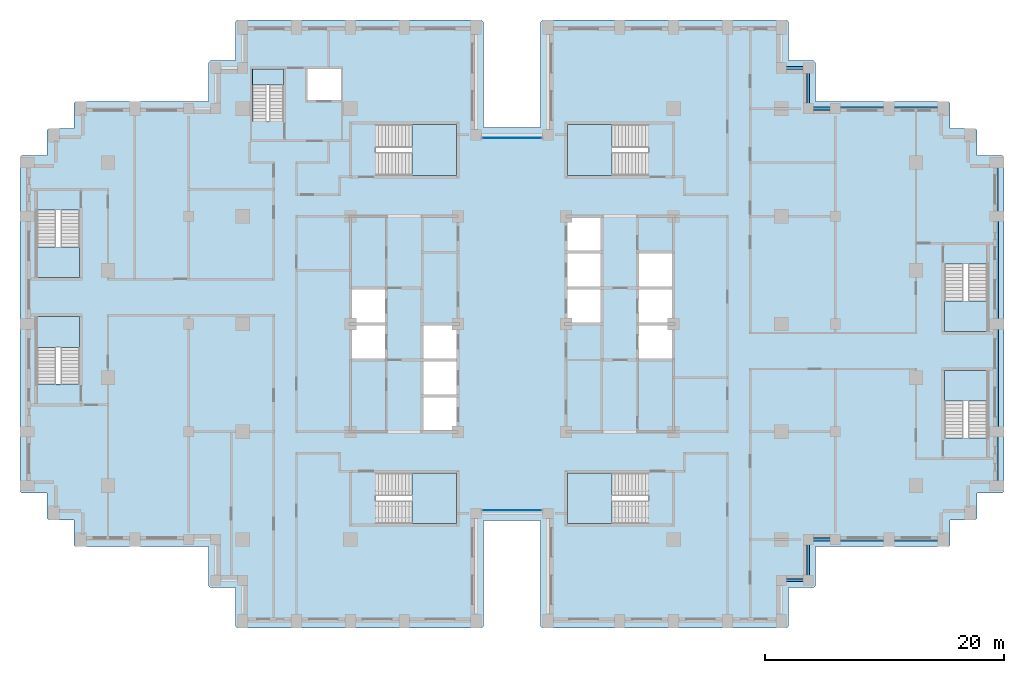
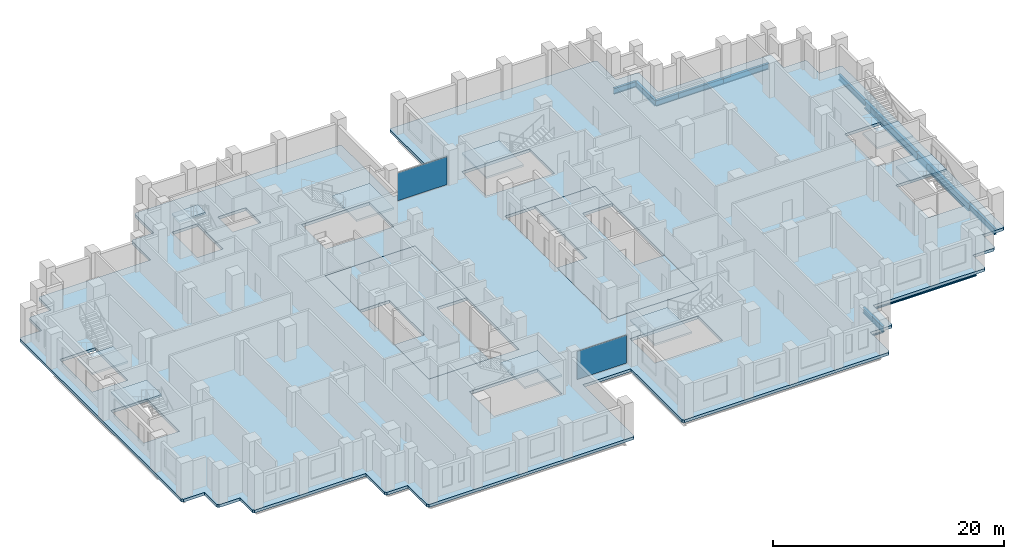
# One storey, part 5 of 15: 14 beams, 12 slabs, 2 plates, 11 elements without a shape of their own.
"""IFC4 building model written with IfcOpenShell, lengths in metres."""

from ifc_helpers import new_model, si_unit, direction, frame, origin, origin_2d, place, context, subcontext, project, spatial, polyline, rectangle, i_section, outline, extrude, material, layer, layer_set, material_profile, profile_set, type_object, element, aggregate, save


model = new_model("IFC4")

# Units and contexts
model_context = context("Model", 3, precision=1e-05, world=origin(), true_north=direction((0.0, 1.0)))
body_context = subcontext(model_context, "Body", "Model", "MODEL_VIEW")
ifc_project = project(units=[si_unit("LENGTHUNIT", "METRE"), si_unit("AREAUNIT", "SQUARE_METRE"), si_unit("VOLUMEUNIT", "CUBIC_METRE"), si_unit("PLANEANGLEUNIT", "RADIAN"), si_unit("MASSUNIT", "GRAM", prefix="KILO")], contexts=[model_context])

# Site, building, storey
site_placement = place(None, origin())
site = spatial("IfcSite", under=ifc_project, at=site_placement, CompositionType="ELEMENT")
building_placement = place(site_placement, origin())
building = spatial("IfcBuilding", under=site, at=building_placement, Name="Corbelhall Arena Tower", CompositionType="ELEMENT")
storey_placement = place(building_placement, frame((0.0, 0.0, 100.0)))
storey = spatial("IfcBuildingStorey", under=building, at=storey_placement, Name="L17", CompositionType="ELEMENT", Elevation=100.0)

# Beams
ifc_material_1 = material(Name="Steel ASTM A992 Gr50", Category="steel")
ifc_material_profile_1 = material_profile(ifc_material_1, i_section(OverallWidth=0.23046875, OverallDepth=0.6171875, WebThickness=0.01318359375, FlangeThickness=0.022216796875, at=origin_2d()))
ifc_profile_set_1 = profile_set([ifc_material_profile_1], Name="Steel ASTM A992 Gr50")
beam_type_1 = type_object("IfcBeamType", Name="ST-SPANDREL-W24x94", PredefinedType="SPANDREL", material=ifc_profile_set_1)
for number, where, z_axis, x_axis, name in (
    (1, (40.5, 13.5, -0.608642578125), (0.0, -1.0, 0.0), (1.0, 0.0, 0.0), "Beam SP 10"),
    (2, (40.5, -9.0, -0.608642578125), (0.0, -1.0, 0.0), (1.0, 0.0, 0.0), "Beam SP 11"),
    (3, (31.5, 18.0, -0.608642578125), (1.0, 0.0, 0.0), (0.0, 1.0, 0.0), "Beam SP 12"),
    (4, (31.5, -18.0, -0.608642578125), (-1.0, 0.0, 0.0), (0.0, -1.0, 0.0), "Beam SP 13"),
    (5, (36.0, -18.0, -0.608642578125), (-1.0, 0.0, 0.0), (0.0, -1.0, 0.0), "Beam SP 14"),
    (6, (27.0, 18.0, -0.608642578125), (1.0, 0.0, 0.0), (0.0, 1.0, 0.0), "Beam SP 15"),
):
    element("IfcBeam", number, at=place(storey_placement, frame(where, z_axis=z_axis, x_axis=x_axis)), inside=storey, type_object=beam_type_1, Name=name, PredefinedType="SPANDREL", context=body_context, shape_type="SweptSolid", body=[
        extrude(i_section(OverallWidth=0.23046875, OverallDepth=0.6171875, WebThickness=0.01318359375, FlangeThickness=0.022216796875, at=origin_2d()), origin(), (0.0, 0.0, 1.0), 4.5),
    ])
for number, where, z_axis, x_axis, name in (
    (7, (27.0, -18.0, -0.608642578125), (-1.0, 0.0, 0.0), (0.0, -1.0, 0.0), "Beam SP 16"),
    (8, (22.5, 21.39990234375, -0.608642578125), (1.0, 0.0, 0.0), (0.0, 1.0, 0.0), "Beam SP 43"),
):
    element("IfcBeam", number, at=place(storey_placement, frame(where, z_axis=z_axis, x_axis=x_axis)), inside=storey, type_object=beam_type_1, Name=name, PredefinedType="SPANDREL", context=body_context, shape_type="SweptSolid", body=[
        extrude(i_section(OverallWidth=0.23046875, OverallDepth=0.6171875, WebThickness=0.01318359375, FlangeThickness=0.022216796875, at=origin_2d()), origin(), (0.0, 0.0, 1.0), 2.25),
    ])
beam_1_placement = place(storey_placement, frame((24.75, 21.39990234375, -0.608642578125), z_axis=(0.0, -1.0, 0.0), x_axis=(1.0, 0.0, 0.0)))
element("IfcBeam", 9, at=beam_1_placement, inside=storey, type_object=beam_type_1, Name="Beam SP 44", PredefinedType="SPANDREL", context=body_context, shape_type="SweptSolid", body=[
    extrude(i_section(OverallWidth=0.23046875, OverallDepth=0.6171875, WebThickness=0.01318359375, FlangeThickness=0.022216796875, at=origin_2d()), origin(), (0.0, 0.0, 1.0), 3.39990234375),
])
for number, where, z_axis, x_axis, name in (
    (10, (24.75, 18.0, -0.608642578125), (1.0, 0.0, 0.0), (0.0, 1.0, 0.0), "Beam SP 45"),
    (11, (24.75, -21.39990234375, -0.608642578125), (-1.0, 0.0, 0.0), (0.0, -1.0, 0.0), "Beam SP 50"),
):
    element("IfcBeam", number, at=place(storey_placement, frame(where, z_axis=z_axis, x_axis=x_axis)), inside=storey, type_object=beam_type_1, Name=name, PredefinedType="SPANDREL", context=body_context, shape_type="SweptSolid", body=[
        extrude(i_section(OverallWidth=0.23046875, OverallDepth=0.6171875, WebThickness=0.01318359375, FlangeThickness=0.022216796875, at=origin_2d()), origin(), (0.0, 0.0, 1.0), 2.25),
    ])
beam_2_placement = place(storey_placement, frame((24.75, -18.0, -0.608642578125), z_axis=(0.0, -1.0, 0.0), x_axis=(1.0, 0.0, 0.0)))
element("IfcBeam", 12, at=beam_2_placement, inside=storey, type_object=beam_type_1, Name="Beam SP 51", PredefinedType="SPANDREL", context=body_context, shape_type="SweptSolid", body=[
    extrude(i_section(OverallWidth=0.23046875, OverallDepth=0.6171875, WebThickness=0.01318359375, FlangeThickness=0.022216796875, at=origin_2d()), origin(), (0.0, 0.0, 1.0), 3.39990234375),
])
ifc_material_profile_2 = material_profile(ifc_material_1, i_section(OverallWidth=0.2919921875, OverallDepth=0.845703125, WebThickness=0.015380859375, FlangeThickness=0.0244140625, at=origin_2d()))
ifc_profile_set_2 = profile_set([ifc_material_profile_2], Name="Steel ASTM A992 Gr50")
beam_type_2 = type_object("IfcBeamType", Name="ST-SPANDREL-W33x141", PredefinedType="SPANDREL", material=ifc_profile_set_2)
for number, where, z_axis, x_axis, name in (
    (13, (40.5, 0.0, -0.722900390625), (0.0, -1.0, 0.0), (1.0, 0.0, 0.0), "Beam SP 8"),
    (14, (40.5, 9.0, -0.722900390625), (0.0, -1.0, 0.0), (1.0, 0.0, 0.0), "Beam SP 9"),
):
    element("IfcBeam", number, at=place(storey_placement, frame(where, z_axis=z_axis, x_axis=x_axis)), inside=storey, type_object=beam_type_2, Name=name, PredefinedType="SPANDREL", context=body_context, shape_type="SweptSolid", body=[
        extrude(i_section(OverallWidth=0.2919921875, OverallDepth=0.845703125, WebThickness=0.015380859375, FlangeThickness=0.0244140625, at=origin_2d()), origin(), (0.0, 0.0, 1.0), 9.0),
    ])

# Curtain wall, plate
ifc_material_2 = material(Name="Aluminium black anodised", Category="aluminium")
ifc_layer_1 = layer(ifc_material_2, 0.199951171875)
ifc_layer_set_1 = layer_set([ifc_layer_1], Name="EV-CW1 Slot back wall")
curtain_wall_type = type_object("IfcCurtainWallType", Name="EV-CW1 Slot back wall", PredefinedType="NOTDEFINED", material=ifc_layer_set_1)
curtain_wall_1_placement = place(storey_placement, origin())
curtain_wall_1 = element("IfcCurtainWall", 15, at=curtain_wall_1_placement, inside=storey, type_object=curtain_wall_type, Name="Curtain wall CW1", PredefinedType="NOTDEFINED")
ifc_material_3 = material(Name="Glass dark tinted laminated", Category="glass")
ifc_layer_2 = layer(ifc_material_3, 0.028076171875)
ifc_layer_set_2 = layer_set([ifc_layer_2], Name="EV-CW1-PANEL")
plate_type = type_object("IfcPlateType", Name="EV-CW1-PANEL", PredefinedType="CURTAIN_PANEL", material=ifc_layer_set_2)
plate_1_placement = place(storey_placement, frame((0.0, -15.550048828125, 0.0751953125), z_axis=(0.0, 0.0, 1.0), x_axis=(1.0, 0.0, 0.0)))
plate_1 = element("IfcPlate", 16, at=plate_1_placement, type_object=plate_type, Name="CW1 panel 1.1", PredefinedType="CURTAIN_PANEL", context=body_context, shape_type="SweptSolid", body=[
    extrude(rectangle(XDim=4.949951171875, YDim=0.028076171875, at=origin_2d()), origin(), (0.0, 0.0, 1.0), 2.949951171875),
])
aggregate(curtain_wall_1, [plate_1])

curtain_wall_2_placement = place(storey_placement, origin())
curtain_wall_2 = element("IfcCurtainWall", 17, at=curtain_wall_2_placement, inside=storey, type_object=curtain_wall_type, Name="Curtain wall CW1", PredefinedType="NOTDEFINED")
plate_2_placement = place(storey_placement, frame((0.0, 15.550048828125, 0.0751953125), z_axis=(0.0, 0.0, 1.0), x_axis=(-1.0, 0.0, 0.0)))
plate_2 = element("IfcPlate", 18, at=plate_2_placement, type_object=plate_type, Name="CW1 panel 1.1", PredefinedType="CURTAIN_PANEL", context=body_context, shape_type="SweptSolid", body=[
    extrude(rectangle(XDim=4.949951171875, YDim=0.028076171875, at=origin_2d()), origin(), (0.0, 0.0, 1.0), 2.949951171875),
])
aggregate(curtain_wall_2, [plate_2])

# Slabs
ifc_material_4 = material(Name="Concrete C40/50", Category="concrete")
ifc_layer_3 = layer(ifc_material_4, 0.300048828125)
ifc_layer_set_3 = layer_set([ifc_layer_3], Name="IN-SL-CORE")
slab_type_1 = type_object("IfcSlabType", Name="IN-SL-CORE", PredefinedType="FLOOR", material=ifc_layer_set_3)
slab_1_placement = place(storey_placement, frame((0.0, 0.0, -0.300048828125)))
element("IfcSlab", 19, at=slab_1_placement, inside=storey, type_object=slab_type_1, Name="Core floor W", PredefinedType="FLOOR", context=body_context, shape_type="SweptSolid", body=[
    extrude(outline(polyline([(-7.5, 0.0), (-4.5, 0.0), (-4.5, 9.0), (-13.5, 9.0), (-13.5, 3.0), (-10.5, 3.0), (-10.5, 0.0), (-10.5, -3.0), (-13.5, -3.0), (-13.5, -9.0), (-7.5, -9.0), (-7.5, -6.0), (-7.5, -3.0), (-7.5, 0.0)])), origin(), (0.0, 0.0, 1.0), 0.300048828125),
])
slab_2_placement = place(storey_placement, frame((0.0, 0.0, -0.300048828125)))
element("IfcSlab", 20, at=slab_2_placement, inside=storey, type_object=slab_type_1, Name="Core floor E", PredefinedType="FLOOR", context=body_context, shape_type="SweptSolid", body=[
    extrude(outline(polyline([(7.5, 0.0), (4.5, 0.0), (4.5, -9.0), (13.5, -9.0), (13.5, -3.0), (10.5, -3.0), (10.5, 0.0), (10.5, 3.0), (10.5, 6.0), (13.5, 6.0), (13.5, 9.0), (7.5, 9.0), (7.5, 6.0), (7.5, 3.0), (7.5, 0.0)])), origin(), (0.0, 0.0, 1.0), 0.300048828125),
])

# Stair, slab
stair_type = type_object("IfcStairType", Name="IN-ST-TOWER", PredefinedType="HALF_TURN_STAIR", material=ifc_material_4)
stair_1_placement = place(storey_placement, origin())
stair_1 = element("IfcStair", 21, at=stair_1_placement, inside=storey, type_object=stair_type, Name="L17 Exit stair ST1", PredefinedType="HALF_TURN_STAIR")
ifc_layer_4 = layer(ifc_material_4, 0.199951171875)
ifc_layer_set_4 = layer_set([ifc_layer_4], Name="IN-SL-LANDING")
slab_type_2 = type_object("IfcSlabType", Name="IN-SL-LANDING", PredefinedType="LANDING", material=ifc_layer_set_4)
slab_3_placement = place(storey_placement, frame((0.0, 0.0, 1.800048828125)))
slab_3 = element("IfcSlab", 22, at=slab_3_placement, type_object=slab_type_2, Name="ST1 landing 1", PredefinedType="LANDING", context=body_context, shape_type="SweptSolid", body=[
    extrude(outline(polyline([(-8.344970703125, 12.425048828125), (-4.625, 12.425048828125), (-4.625, 16.675048828125), (-8.344970703125, 16.675048828125), (-8.344970703125, 12.425048828125)])), origin(), (0.0, 0.0, 1.0), 0.199951171875),
])
aggregate(stair_1, [slab_3])

stair_2_placement = place(storey_placement, origin())
stair_2 = element("IfcStair", 23, at=stair_2_placement, inside=storey, type_object=stair_type, Name="L17 Exit stair ST2", PredefinedType="HALF_TURN_STAIR")
slab_4_placement = place(storey_placement, frame((0.0, 0.0, 1.800048828125)))
slab_4 = element("IfcSlab", 24, at=slab_4_placement, type_object=slab_type_2, Name="ST2 landing 1", PredefinedType="LANDING", context=body_context, shape_type="SweptSolid", body=[
    extrude(outline(polyline([(-8.344970703125, -16.675048828125), (-4.625, -16.675048828125), (-4.625, -12.425048828125), (-8.344970703125, -12.425048828125), (-8.344970703125, -16.675048828125)])), origin(), (0.0, 0.0, 1.0), 0.199951171875),
])
aggregate(stair_2, [slab_4])

stair_3_placement = place(storey_placement, origin())
stair_3 = element("IfcStair", 25, at=stair_3_placement, inside=storey, type_object=stair_type, Name="L17 Exit stair ST3", PredefinedType="HALF_TURN_STAIR")
slab_5_placement = place(storey_placement, frame((0.0, 0.0, 1.800048828125)))
slab_5 = element("IfcSlab", 26, at=slab_5_placement, type_object=slab_type_2, Name="ST3 landing 1", PredefinedType="LANDING", context=body_context, shape_type="SweptSolid", body=[
    extrude(outline(polyline([(8.344970703125, 16.675048828125), (4.625, 16.675048828125), (4.625, 12.425048828125), (8.344970703125, 12.425048828125), (8.344970703125, 16.675048828125)])), origin(), (0.0, 0.0, 1.0), 0.199951171875),
])
aggregate(stair_3, [slab_5])

stair_4_placement = place(storey_placement, origin())
stair_4 = element("IfcStair", 27, at=stair_4_placement, inside=storey, type_object=stair_type, Name="L17 Exit stair ST4", PredefinedType="HALF_TURN_STAIR")
slab_6_placement = place(storey_placement, frame((0.0, 0.0, 1.800048828125)))
slab_6 = element("IfcSlab", 28, at=slab_6_placement, type_object=slab_type_2, Name="ST4 landing 1", PredefinedType="LANDING", context=body_context, shape_type="SweptSolid", body=[
    extrude(outline(polyline([(8.344970703125, -12.425048828125), (4.625, -12.425048828125), (4.625, -16.675048828125), (8.344970703125, -16.675048828125), (8.344970703125, -12.425048828125)])), origin(), (0.0, 0.0, 1.0), 0.199951171875),
])
aggregate(stair_4, [slab_6])

stair_5_placement = place(storey_placement, origin())
stair_5 = element("IfcStair", 29, at=stair_5_placement, inside=storey, type_object=stair_type, Name="L17 Exit stair SC1", PredefinedType="HALF_TURN_STAIR")
slab_7_placement = place(storey_placement, frame((0.0, 0.0, 1.800048828125)))
slab_7 = element("IfcSlab", 30, at=slab_7_placement, type_object=slab_type_2, Name="SC1 landing 1", PredefinedType="LANDING", context=body_context, shape_type="SweptSolid", body=[
    extrude(outline(polyline([(-39.699951171875, 6.445068359375), (-39.699951171875, 3.875), (-36.125, 3.875), (-36.125, 6.445068359375), (-39.699951171875, 6.445068359375)])), origin(), (0.0, 0.0, 1.0), 0.199951171875),
])
aggregate(stair_5, [slab_7])

stair_6_placement = place(storey_placement, origin())
stair_6 = element("IfcStair", 31, at=stair_6_placement, inside=storey, type_object=stair_type, Name="L17 Exit stair SC2", PredefinedType="HALF_TURN_STAIR")
slab_8_placement = place(storey_placement, frame((0.0, 0.0, 1.800048828125)))
slab_8 = element("IfcSlab", 32, at=slab_8_placement, type_object=slab_type_2, Name="SC2 landing 1", PredefinedType="LANDING", context=body_context, shape_type="SweptSolid", body=[
    extrude(outline(polyline([(-36.125, -1.945068359375), (-36.125, 0.625), (-39.699951171875, 0.625), (-39.699951171875, -1.945068359375), (-36.125, -1.945068359375)])), origin(), (0.0, 0.0, 1.0), 0.199951171875),
])
aggregate(stair_6, [slab_8])

stair_7_placement = place(storey_placement, origin())
stair_7 = element("IfcStair", 33, at=stair_7_placement, inside=storey, type_object=stair_type, Name="L17 Exit stair SD1", PredefinedType="HALF_TURN_STAIR")
slab_9_placement = place(storey_placement, frame((0.0, 0.0, 1.800048828125)))
slab_9 = element("IfcSlab", 34, at=slab_9_placement, type_object=slab_type_2, Name="SD1 landing 1", PredefinedType="LANDING", context=body_context, shape_type="SweptSolid", body=[
    extrude(outline(polyline([(39.699951171875, -6.445068359375), (39.699951171875, -3.875), (36.125, -3.875), (36.125, -6.445068359375), (39.699951171875, -6.445068359375)])), origin(), (0.0, 0.0, 1.0), 0.199951171875),
])
aggregate(stair_7, [slab_9])

stair_8_placement = place(storey_placement, origin())
stair_8 = element("IfcStair", 35, at=stair_8_placement, inside=storey, type_object=stair_type, Name="L17 Exit stair SD2", PredefinedType="HALF_TURN_STAIR")
slab_10_placement = place(storey_placement, frame((0.0, 0.0, 1.800048828125)))
slab_10 = element("IfcSlab", 36, at=slab_10_placement, type_object=slab_type_2, Name="SD2 landing 1", PredefinedType="LANDING", context=body_context, shape_type="SweptSolid", body=[
    extrude(outline(polyline([(36.125, 1.945068359375), (36.125, -0.625), (39.699951171875, -0.625), (39.699951171875, 1.945068359375), (36.125, 1.945068359375)])), origin(), (0.0, 0.0, 1.0), 0.199951171875),
])
aggregate(stair_8, [slab_10])

stair_9_placement = place(storey_placement, origin())
stair_9 = element("IfcStair", 37, at=stair_9_placement, inside=storey, type_object=stair_type, Name="L17 Exit stair ST5", PredefinedType="HALF_TURN_STAIR")
slab_11_placement = place(storey_placement, frame((0.0, 0.0, 1.800048828125)))
slab_11 = element("IfcSlab", 38, at=slab_11_placement, type_object=slab_type_2, Name="ST5 landing 1", PredefinedType="LANDING", context=body_context, shape_type="SweptSolid", body=[
    extrude(outline(polyline([(-19.094970703125, 19.97998046875), (-19.094970703125, 21.300048828125), (-21.695068359375, 21.300048828125), (-21.695068359375, 19.97998046875), (-19.094970703125, 19.97998046875)])), origin(), (0.0, 0.0, 1.0), 0.199951171875),
])
aggregate(stair_9, [slab_11])

# Slab
ifc_layer_5 = layer(ifc_material_4, 0.300048828125)
ifc_layer_set_5 = layer_set([ifc_layer_5], Name="ST-SLAB-FLOOR-300")
slab_type_3 = type_object("IfcSlabType", Name="ST-SLAB-FLOOR-300", PredefinedType="FLOOR", material=ifc_layer_set_5)
slab_12_placement = place(storey_placement, frame((0.0, 0.0, -0.300048828125)))
element("IfcSlab", 39, at=slab_12_placement, inside=storey, type_object=slab_type_3, Name="Floor slab L17 1", PredefinedType="FLOOR", context=body_context, shape_type="SweptSolid", body=[
    extrude(outline(polyline([(25.35009765625, 18.60009765625), (25.35009765625, 21.85009765625), (25.199951171875, 22.0), (23.10009765625, 22.0), (23.10009765625, 25.25), (22.949951171875, 25.39990234375), (2.550048828125, 25.39990234375), (2.39990234375, 25.25), (2.39990234375, 16.39990234375), (-2.39990234375, 16.39990234375), (-2.39990234375, 25.25), (-2.550048828125, 25.39990234375), (-22.949951171875, 25.39990234375), (-23.10009765625, 25.25), (-23.10009765625, 22.0), (-25.199951171875, 22.0), (-25.35009765625, 21.85009765625), (-25.35009765625, 18.60009765625), (-36.449951171875, 18.60009765625), (-36.60009765625, 18.449951171875), (-36.60009765625, 16.35009765625), (-38.699951171875, 16.35009765625), (-38.85009765625, 16.199951171875), (-38.85009765625, 14.10009765625), (-40.949951171875, 14.10009765625), (-41.10009765625, 13.949951171875), (-41.10009765625, -13.949951171875), (-40.949951171875, -14.10009765625), (-38.85009765625, -14.10009765625), (-38.85009765625, -16.199951171875), (-38.699951171875, -16.35009765625), (-36.60009765625, -16.35009765625), (-36.60009765625, -18.449951171875), (-36.449951171875, -18.60009765625), (-25.35009765625, -18.60009765625), (-25.35009765625, -21.85009765625), (-25.199951171875, -22.0), (-23.10009765625, -22.0), (-23.10009765625, -25.25), (-22.949951171875, -25.39990234375), (-2.550048828125, -25.39990234375), (-2.39990234375, -25.25), (-2.39990234375, -16.39990234375), (2.39990234375, -16.39990234375), (2.39990234375, -25.25), (2.550048828125, -25.39990234375), (22.949951171875, -25.39990234375), (23.10009765625, -25.25), (23.10009765625, -22.0), (25.199951171875, -22.0), (25.35009765625, -21.85009765625), (25.35009765625, -18.60009765625), (36.449951171875, -18.60009765625), (36.60009765625, -18.449951171875), (36.60009765625, -16.35009765625), (38.699951171875, -16.35009765625), (38.85009765625, -16.199951171875), (38.85009765625, -14.10009765625), (40.949951171875, -14.10009765625), (41.10009765625, -13.949951171875), (41.10009765625, 13.949951171875), (40.949951171875, 14.10009765625), (38.85009765625, 14.10009765625), (38.85009765625, 16.199951171875), (38.699951171875, 16.35009765625), (36.60009765625, 16.35009765625), (36.60009765625, 18.449951171875), (36.449951171875, 18.60009765625), (25.35009765625, 18.60009765625)]), holes=[polyline([(-13.5, 9.0), (-13.5, -9.0), (-4.5, -9.0), (-4.5, 9.0), (-13.5, 9.0)]), polyline([(4.5, 9.0), (4.5, -9.0), (13.5, -9.0), (13.5, 9.0), (4.5, 9.0)]), polyline([(-4.625, 16.675048828125), (-11.422119140625, 16.675048828125), (-11.422119140625, 12.425048828125), (-4.625, 12.425048828125), (-4.625, 16.675048828125)]), polyline([(-4.625, -16.675048828125), (-4.625, -12.425048828125), (-11.422119140625, -12.425048828125), (-11.422119140625, -16.675048828125), (-4.625, -16.675048828125)]), polyline([(11.422119140625, 16.675048828125), (4.625, 16.675048828125), (4.625, 12.425048828125), (11.422119140625, 12.425048828125), (11.422119140625, 16.675048828125)]), polyline([(11.422119140625, -16.675048828125), (11.422119140625, -12.425048828125), (4.625, -12.425048828125), (4.625, -16.675048828125), (11.422119140625, -16.675048828125)]), polyline([(-36.125, 3.875), (-36.125, 9.52197265625), (-39.699951171875, 9.52197265625), (-39.699951171875, 3.875), (-36.125, 3.875)]), polyline([(-36.125, 0.625), (-39.699951171875, 0.625), (-39.699951171875, -5.02197265625), (-36.125, -5.02197265625), (-36.125, 0.625)]), polyline([(39.699951171875, -9.52197265625), (39.699951171875, -3.875), (36.125, -3.875), (36.125, -9.52197265625), (39.699951171875, -9.52197265625)]), polyline([(39.699951171875, 5.02197265625), (36.125, 5.02197265625), (36.125, -0.625), (39.699951171875, -0.625), (39.699951171875, 5.02197265625)]), polyline([(-21.695068359375, 21.300048828125), (-21.695068359375, 16.903076171875), (-19.094970703125, 16.903076171875), (-19.094970703125, 21.300048828125), (-21.695068359375, 21.300048828125)]), polyline([(-14.300048828125, 21.300048828125), (-17.10009765625, 21.300048828125), (-17.10009765625, 18.699951171875), (-14.300048828125, 18.699951171875), (-14.300048828125, 21.300048828125)])]), origin(), (0.0, 0.0, 1.0), 0.300048828125),
])

save(model, "model.ifc")
